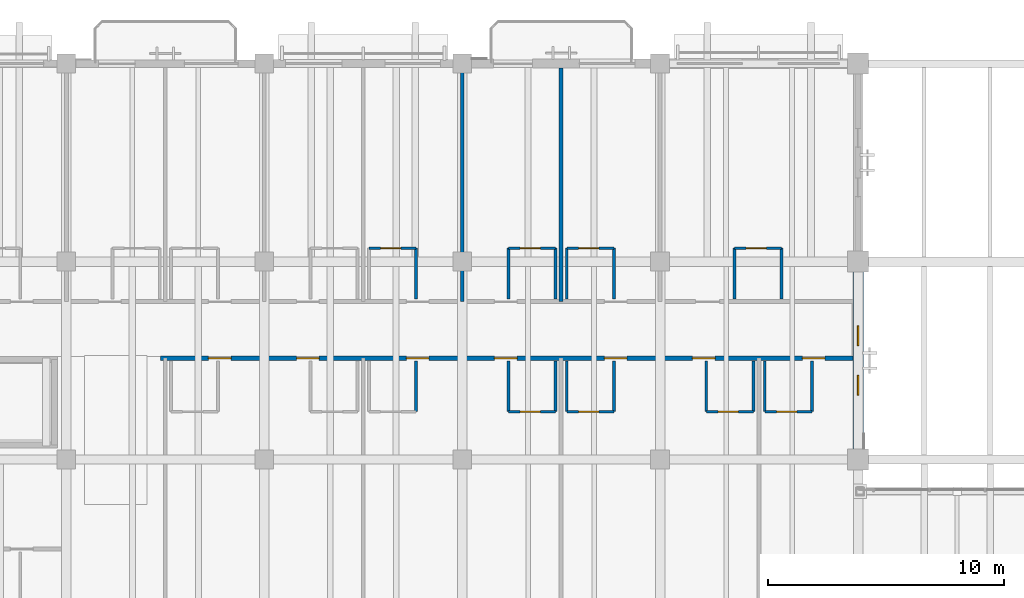
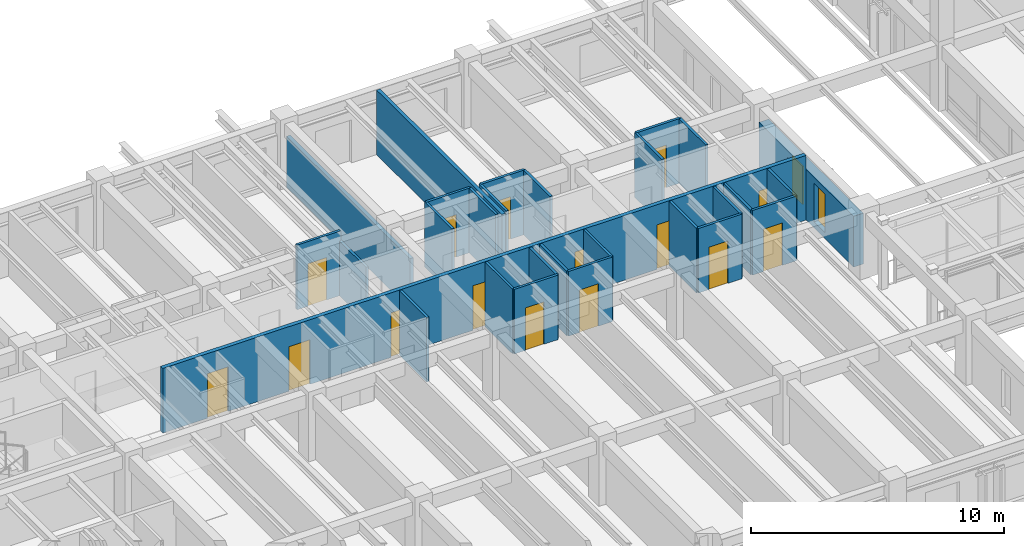
# One storey, part 91 of 123: 28 walls, 15 doors, 2 windows, 17 openings.
"""IFC4 building model written with IfcOpenShell, lengths in metres."""

from ifc_helpers import new_model, si_unit, direction, frame, frame_2d, origin, place, context, subcontext, project, spatial, rectangle, extrude, material, layer, layer_set, type_object, element, fill, save


model = new_model("IFC4")

# Units and contexts
model_context = context("Model", 3, precision=1e-05, world=origin(), true_north=direction((0.0, 1.0)))
body_context = subcontext(model_context, "Body", "Model", "MODEL_VIEW")
ifc_project = project(units=[si_unit("LENGTHUNIT", "METRE"), si_unit("AREAUNIT", "SQUARE_METRE"), si_unit("VOLUMEUNIT", "CUBIC_METRE"), si_unit("PLANEANGLEUNIT", "RADIAN"), si_unit("MASSUNIT", "GRAM", prefix="KILO")], contexts=[model_context])

# Site, building, storey
site_placement = place(None, origin())
site = spatial("IfcSite", under=ifc_project, at=site_placement, CompositionType="ELEMENT")
building_placement = place(site_placement, origin())
building = spatial("IfcBuilding", under=site, at=building_placement, Name="Cumbredor Promenade Congress Hotel", CompositionType="ELEMENT")
storey_placement = place(building_placement, frame((0.0, 0.0, 11.760009765625)))
storey = spatial("IfcBuildingStorey", under=building, at=storey_placement, Name="L03", CompositionType="ELEMENT", Elevation=11.760009765625)

# Wall, opening, door
ifc_material_1 = material(Name="Moisture-resistant gypsum board on steel studs", Category="steel")
ifc_layer_1 = layer(ifc_material_1, 0.114990234375, Name="Moisture-resistant gypsum board on steel studs", Category="steel")
ifc_layer_set_1 = layer_set([ifc_layer_1], Name="Moisture-resistant gypsum board on steel studs")
wall_type_1 = type_object("IfcWallType", Name="WL-BATH-115", PredefinedType="PARTITIONING", material=ifc_layer_set_1)
wall_1_placement = place(storey_placement, frame((63.239990234375, 109.77001953125, 0.0), z_axis=(0.0, 0.0, 1.0), x_axis=(1.0, 0.0, 0.0)))
wall_1 = element("IfcWall", 1, at=wall_1_placement, inside=storey, type_object=wall_type_1, Name="L03 Interior Partition W-L03-BH-0313", PredefinedType="PARTITIONING", context=body_context, shape_type="SweptSolid", body=[
    extrude(rectangle(XDim=2.0, YDim=0.114990234375, at=frame_2d((1.0, 0.0))), origin(), (0.0, 0.0, 1.0), 3.119873046875),
])
opening_1_placement = place(wall_1_placement, frame((0.5, 0.0, 0.0)))
opening_1 = element("IfcOpeningElement", 2, at=opening_1_placement, cuts=wall_1, Name="Opening ID-01", PredefinedType="OPENING", context=body_context, shape_type="SweptSolid", body=[
    extrude(rectangle(XDim=0.860107421875, YDim=2.050048828125, at=frame_2d((0.43017578125, 1.02490234375))), frame((0.0, 0.0673828125, 0.0), z_axis=(0.0, -1.0, 0.0), x_axis=(1.0, 0.0, 0.0)), (0.0, 0.0, 1.0), 0.135009765625),
])
ifc_material_2 = material(Name="Kiln-dried tropical hardwood", Category="wood")
door_type_1 = type_object("IfcDoorType", Name="DR-BATH-860", OperationType="NOTDEFINED", PredefinedType="DOOR", material=ifc_material_2)
door_1_placement = place(opening_1_placement, origin())
door_1 = element("IfcDoor", 3, at=door_1_placement, inside=storey, type_object=door_type_1, Name="L03 Interior Door W-L03-BH-0313-01", OperationType="SINGLE_SWING_LEFT", OverallHeight=2.050048828125, OverallWidth=0.860107421875, PredefinedType="DOOR", context=body_context, shape_type="SweptSolid", body=[
    extrude(rectangle(XDim=0.860107421875, YDim=2.050048828125, at=frame_2d((0.43017578125, 1.02490234375))), frame((0.0, 0.02490234375, 0.0), z_axis=(0.0, -1.0, 0.0), x_axis=(1.0, 0.0, 0.0)), (0.0, 0.0, 1.0), 0.050048828125),
])
fill(opening_1, door_1)

# Wall
wall_2_placement = place(storey_placement, frame((65.239990234375, 107.6201171875, 0.0), z_axis=(0.0, 0.0, 1.0), x_axis=(0.0, 1.0, 0.0)))
element("IfcWall", 4, at=wall_2_placement, inside=storey, type_object=wall_type_1, Name="L03 Interior Partition W-L03-BV2-0313", PredefinedType="PARTITIONING", context=body_context, shape_type="SweptSolid", body=[
    extrude(rectangle(XDim=2.14990234375, YDim=0.114990234375, at=frame_2d((1.074951171875, 0.0))), origin(), (0.0, 0.0, 1.0), 2.64208984375),
])

# Wall, opening, door
wall_3_placement = place(storey_placement, frame((69.159912109375, 109.77001953125, 0.0), z_axis=(0.0, 0.0, 1.0), x_axis=(1.0, 0.0, 0.0)))
wall_3 = element("IfcWall", 5, at=wall_3_placement, inside=storey, type_object=wall_type_1, Name="L03 Interior Partition W-L03-BH-0314", PredefinedType="PARTITIONING", context=body_context, shape_type="SweptSolid", body=[
    extrude(rectangle(XDim=2.0, YDim=0.114990234375, at=frame_2d((1.0, 0.0))), origin(), (0.0, 0.0, 1.0), 3.119873046875),
])
opening_2_placement = place(wall_3_placement, frame((0.5, 0.0, 0.0)))
opening_2 = element("IfcOpeningElement", 6, at=opening_2_placement, cuts=wall_3, Name="Opening ID-01", PredefinedType="OPENING", context=body_context, shape_type="SweptSolid", body=[
    extrude(rectangle(XDim=0.860107421875, YDim=2.050048828125, at=frame_2d((0.43017578125, 1.02490234375))), frame((0.0, 0.0673828125, 0.0), z_axis=(0.0, -1.0, 0.0), x_axis=(1.0, 0.0, 0.0)), (0.0, 0.0, 1.0), 0.135009765625),
])
door_2_placement = place(opening_2_placement, origin())
door_2 = element("IfcDoor", 7, at=door_2_placement, inside=storey, type_object=door_type_1, Name="L03 Interior Door W-L03-BH-0314-01", OperationType="SINGLE_SWING_RIGHT", OverallHeight=2.050048828125, OverallWidth=0.860107421875, PredefinedType="DOOR", context=body_context, shape_type="SweptSolid", body=[
    extrude(rectangle(XDim=0.860107421875, YDim=2.050048828125, at=frame_2d((0.43017578125, 1.02490234375))), frame((0.0, 0.02490234375, 0.0), z_axis=(0.0, -1.0, 0.0), x_axis=(1.0, 0.0, 0.0)), (0.0, 0.0, 1.0), 0.050048828125),
])
fill(opening_2, door_2)

# Walls
for number, where, z_axis, x_axis, name in (
    (8, (69.159912109375, 107.6201171875, 0.0), (0.0, 0.0, 1.0), (0.0, 1.0, 0.0), "L03 Interior Partition W-L03-BV1-0314"),
    (9, (71.159912109375, 107.6201171875, 0.0), (0.0, 0.0, 1.0), (0.0, 1.0, 0.0), "L03 Interior Partition W-L03-BV2-0314"),
):
    element("IfcWall", number, at=place(storey_placement, frame(where, z_axis=z_axis, x_axis=x_axis)), inside=storey, type_object=wall_type_1, Name=name, PredefinedType="PARTITIONING", context=body_context, shape_type="SweptSolid", body=[
        extrude(rectangle(XDim=2.14990234375, YDim=0.114990234375, at=frame_2d((1.074951171875, 0.0))), origin(), (0.0, 0.0, 1.0), 3.119873046875),
    ])

# Wall, opening, door
wall_4_placement = place(storey_placement, frame((71.639892578125, 109.77001953125, 0.0), z_axis=(0.0, 0.0, 1.0), x_axis=(1.0, 0.0, 0.0)))
wall_4 = element("IfcWall", 10, at=wall_4_placement, inside=storey, type_object=wall_type_1, Name="L03 Interior Partition W-L03-BH-0315", PredefinedType="PARTITIONING", context=body_context, shape_type="SweptSolid", body=[
    extrude(rectangle(XDim=2.0, YDim=0.114990234375, at=frame_2d((1.0, 0.0))), origin(), (0.0, 0.0, 1.0), 3.119873046875),
])
opening_3_placement = place(wall_4_placement, frame((0.5, 0.0, 0.0)))
opening_3 = element("IfcOpeningElement", 11, at=opening_3_placement, cuts=wall_4, Name="Opening ID-01", PredefinedType="OPENING", context=body_context, shape_type="SweptSolid", body=[
    extrude(rectangle(XDim=0.860107421875, YDim=2.050048828125, at=frame_2d((0.43017578125, 1.02490234375))), frame((0.0, 0.0673828125, 0.0), z_axis=(0.0, -1.0, 0.0), x_axis=(1.0, 0.0, 0.0)), (0.0, 0.0, 1.0), 0.135009765625),
])
door_3_placement = place(opening_3_placement, origin())
door_3 = element("IfcDoor", 12, at=door_3_placement, inside=storey, type_object=door_type_1, Name="L03 Interior Door W-L03-BH-0315-01", OperationType="SINGLE_SWING_LEFT", OverallHeight=2.050048828125, OverallWidth=0.860107421875, PredefinedType="DOOR", context=body_context, shape_type="SweptSolid", body=[
    extrude(rectangle(XDim=0.860107421875, YDim=2.050048828125, at=frame_2d((0.43017578125, 1.02490234375))), frame((0.0, 0.02490234375, 0.0), z_axis=(0.0, -1.0, 0.0), x_axis=(1.0, 0.0, 0.0)), (0.0, 0.0, 1.0), 0.050048828125),
])
fill(opening_3, door_3)

# Walls
for number, where, z_axis, x_axis, name in (
    (13, (71.639892578125, 107.6201171875, 0.0), (0.0, 0.0, 1.0), (0.0, 1.0, 0.0), "L03 Interior Partition W-L03-BV1-0315"),
    (14, (73.639892578125, 107.6201171875, 0.0), (0.0, 0.0, 1.0), (0.0, 1.0, 0.0), "L03 Interior Partition W-L03-BV2-0315"),
):
    element("IfcWall", number, at=place(storey_placement, frame(where, z_axis=z_axis, x_axis=x_axis)), inside=storey, type_object=wall_type_1, Name=name, PredefinedType="PARTITIONING", context=body_context, shape_type="SweptSolid", body=[
        extrude(rectangle(XDim=2.14990234375, YDim=0.114990234375, at=frame_2d((1.074951171875, 0.0))), origin(), (0.0, 0.0, 1.0), 3.119873046875),
    ])

# Wall, opening, door
wall_5_placement = place(storey_placement, frame((78.75, 109.77001953125, 0.0), z_axis=(0.0, 0.0, 1.0), x_axis=(1.0, 0.0, 0.0)))
wall_5 = element("IfcWall", 15, at=wall_5_placement, inside=storey, type_object=wall_type_1, Name="L03 Interior Partition W-L03-BH-0316", PredefinedType="PARTITIONING", context=body_context, shape_type="SweptSolid", body=[
    extrude(rectangle(XDim=2.0, YDim=0.114990234375, at=frame_2d((1.0, 0.0))), origin(), (0.0, 0.0, 1.0), 3.119873046875),
])
opening_4_placement = place(wall_5_placement, frame((0.5, 0.0, 0.0)))
opening_4 = element("IfcOpeningElement", 16, at=opening_4_placement, cuts=wall_5, Name="Opening ID-01", PredefinedType="OPENING", context=body_context, shape_type="SweptSolid", body=[
    extrude(rectangle(XDim=0.860107421875, YDim=2.050048828125, at=frame_2d((0.43017578125, 1.02490234375))), frame((0.0, 0.0673828125, 0.0), z_axis=(0.0, -1.0, 0.0), x_axis=(1.0, 0.0, 0.0)), (0.0, 0.0, 1.0), 0.135009765625),
])
door_4_placement = place(opening_4_placement, origin())
door_4 = element("IfcDoor", 17, at=door_4_placement, inside=storey, type_object=door_type_1, Name="L03 Interior Door W-L03-BH-0316-01", OperationType="SINGLE_SWING_RIGHT", OverallHeight=2.050048828125, OverallWidth=0.860107421875, PredefinedType="DOOR", context=body_context, shape_type="SweptSolid", body=[
    extrude(rectangle(XDim=0.860107421875, YDim=2.050048828125, at=frame_2d((0.43017578125, 1.02490234375))), frame((0.0, 0.02490234375, 0.0), z_axis=(0.0, -1.0, 0.0), x_axis=(1.0, 0.0, 0.0)), (0.0, 0.0, 1.0), 0.050048828125),
])
fill(opening_4, door_4)

# Walls
for number, where, z_axis, x_axis, name in (
    (18, (78.75, 107.6201171875, 0.0), (0.0, 0.0, 1.0), (0.0, 1.0, 0.0), "L03 Interior Partition W-L03-BV1-0316"),
    (19, (80.75, 107.6201171875, 0.0), (0.0, 0.0, 1.0), (0.0, 1.0, 0.0), "L03 Interior Partition W-L03-BV2-0316"),
    (20, (65.239990234375, 102.830078125, 0.0), (0.0, 0.0, 1.0), (0.0, 1.0, 0.0), "L03 Interior Partition W-L03-BV2-0319"),
):
    element("IfcWall", number, at=place(storey_placement, frame(where, z_axis=z_axis, x_axis=x_axis)), inside=storey, type_object=wall_type_1, Name=name, PredefinedType="PARTITIONING", context=body_context, shape_type="SweptSolid", body=[
        extrude(rectangle(XDim=2.14990234375, YDim=0.114990234375, at=frame_2d((1.074951171875, 0.0))), origin(), (0.0, 0.0, 1.0), 3.119873046875),
    ])

# Wall, opening, door
wall_6_placement = place(storey_placement, frame((69.159912109375, 102.830078125, 0.0), z_axis=(0.0, 0.0, 1.0), x_axis=(1.0, 0.0, 0.0)))
wall_6 = element("IfcWall", 21, at=wall_6_placement, inside=storey, type_object=wall_type_1, Name="L03 Interior Partition W-L03-BH-0320", PredefinedType="PARTITIONING", context=body_context, shape_type="SweptSolid", body=[
    extrude(rectangle(XDim=2.0, YDim=0.114990234375, at=frame_2d((1.0, 0.0))), origin(), (0.0, 0.0, 1.0), 3.119873046875),
])
opening_5_placement = place(wall_6_placement, frame((0.5, 0.0, 0.0)))
opening_5 = element("IfcOpeningElement", 22, at=opening_5_placement, cuts=wall_6, Name="Opening ID-01", PredefinedType="OPENING", context=body_context, shape_type="SweptSolid", body=[
    extrude(rectangle(XDim=0.860107421875, YDim=2.050048828125, at=frame_2d((0.43017578125, 1.02490234375))), frame((0.0, 0.0673828125, 0.0), z_axis=(0.0, -1.0, 0.0), x_axis=(1.0, 0.0, 0.0)), (0.0, 0.0, 1.0), 0.135009765625),
])
door_5_placement = place(opening_5_placement, origin())
door_5 = element("IfcDoor", 23, at=door_5_placement, inside=storey, type_object=door_type_1, Name="L03 Interior Door W-L03-BH-0320-01", OperationType="SINGLE_SWING_RIGHT", OverallHeight=2.050048828125, OverallWidth=0.860107421875, PredefinedType="DOOR", context=body_context, shape_type="SweptSolid", body=[
    extrude(rectangle(XDim=0.860107421875, YDim=2.050048828125, at=frame_2d((0.43017578125, 1.02490234375))), frame((0.0, 0.02490234375, 0.0), z_axis=(0.0, -1.0, 0.0), x_axis=(1.0, 0.0, 0.0)), (0.0, 0.0, 1.0), 0.050048828125),
])
fill(opening_5, door_5)

# Walls
for number, where, z_axis, x_axis, name in (
    (24, (69.159912109375, 102.830078125, 0.0), (0.0, 0.0, 1.0), (0.0, 1.0, 0.0), "L03 Interior Partition W-L03-BV1-0320"),
    (25, (71.159912109375, 102.830078125, 0.0), (0.0, 0.0, 1.0), (0.0, 1.0, 0.0), "L03 Interior Partition W-L03-BV2-0320"),
):
    element("IfcWall", number, at=place(storey_placement, frame(where, z_axis=z_axis, x_axis=x_axis)), inside=storey, type_object=wall_type_1, Name=name, PredefinedType="PARTITIONING", context=body_context, shape_type="SweptSolid", body=[
        extrude(rectangle(XDim=2.14990234375, YDim=0.114990234375, at=frame_2d((1.074951171875, 0.0))), origin(), (0.0, 0.0, 1.0), 3.119873046875),
    ])

# Wall, opening, door
wall_7_placement = place(storey_placement, frame((71.639892578125, 102.830078125, 0.0), z_axis=(0.0, 0.0, 1.0), x_axis=(1.0, 0.0, 0.0)))
wall_7 = element("IfcWall", 26, at=wall_7_placement, inside=storey, type_object=wall_type_1, Name="L03 Interior Partition W-L03-BH-0321", PredefinedType="PARTITIONING", context=body_context, shape_type="SweptSolid", body=[
    extrude(rectangle(XDim=2.0, YDim=0.114990234375, at=frame_2d((1.0, 0.0))), origin(), (0.0, 0.0, 1.0), 3.119873046875),
])
opening_6_placement = place(wall_7_placement, frame((0.5, 0.0, 0.0)))
opening_6 = element("IfcOpeningElement", 27, at=opening_6_placement, cuts=wall_7, Name="Opening ID-01", PredefinedType="OPENING", context=body_context, shape_type="SweptSolid", body=[
    extrude(rectangle(XDim=0.860107421875, YDim=2.050048828125, at=frame_2d((0.43017578125, 1.02490234375))), frame((0.0, 0.0673828125, 0.0), z_axis=(0.0, -1.0, 0.0), x_axis=(1.0, 0.0, 0.0)), (0.0, 0.0, 1.0), 0.135009765625),
])
door_6_placement = place(opening_6_placement, origin())
door_6 = element("IfcDoor", 28, at=door_6_placement, inside=storey, type_object=door_type_1, Name="L03 Interior Door W-L03-BH-0321-01", OperationType="SINGLE_SWING_LEFT", OverallHeight=2.050048828125, OverallWidth=0.860107421875, PredefinedType="DOOR", context=body_context, shape_type="SweptSolid", body=[
    extrude(rectangle(XDim=0.860107421875, YDim=2.050048828125, at=frame_2d((0.43017578125, 1.02490234375))), frame((0.0, 0.02490234375, 0.0), z_axis=(0.0, -1.0, 0.0), x_axis=(1.0, 0.0, 0.0)), (0.0, 0.0, 1.0), 0.050048828125),
])
fill(opening_6, door_6)

# Walls
for number, where, z_axis, x_axis, name in (
    (29, (71.639892578125, 102.830078125, 0.0), (0.0, 0.0, 1.0), (0.0, 1.0, 0.0), "L03 Interior Partition W-L03-BV1-0321"),
    (30, (73.639892578125, 102.830078125, 0.0), (0.0, 0.0, 1.0), (0.0, 1.0, 0.0), "L03 Interior Partition W-L03-BV2-0321"),
):
    element("IfcWall", number, at=place(storey_placement, frame(where, z_axis=z_axis, x_axis=x_axis)), inside=storey, type_object=wall_type_1, Name=name, PredefinedType="PARTITIONING", context=body_context, shape_type="SweptSolid", body=[
        extrude(rectangle(XDim=2.14990234375, YDim=0.114990234375, at=frame_2d((1.074951171875, 0.0))), origin(), (0.0, 0.0, 1.0), 3.119873046875),
    ])

# Wall, opening, door
wall_8_placement = place(storey_placement, frame((77.56005859375, 102.830078125, 0.0), z_axis=(0.0, 0.0, 1.0), x_axis=(1.0, 0.0, 0.0)))
wall_8 = element("IfcWall", 31, at=wall_8_placement, inside=storey, type_object=wall_type_1, Name="L03 Interior Partition W-L03-BH-0322", PredefinedType="PARTITIONING", context=body_context, shape_type="SweptSolid", body=[
    extrude(rectangle(XDim=2.0, YDim=0.114990234375, at=frame_2d((1.0, 0.0))), origin(), (0.0, 0.0, 1.0), 3.119873046875),
])
opening_7_placement = place(wall_8_placement, frame((0.5, 0.0, 0.0)))
opening_7 = element("IfcOpeningElement", 32, at=opening_7_placement, cuts=wall_8, Name="Opening ID-01", PredefinedType="OPENING", context=body_context, shape_type="SweptSolid", body=[
    extrude(rectangle(XDim=0.860107421875, YDim=2.050048828125, at=frame_2d((0.43017578125, 1.02490234375))), frame((0.0, 0.0673828125, 0.0), z_axis=(0.0, -1.0, 0.0), x_axis=(1.0, 0.0, 0.0)), (0.0, 0.0, 1.0), 0.135009765625),
])
door_7_placement = place(opening_7_placement, origin())
door_7 = element("IfcDoor", 33, at=door_7_placement, inside=storey, type_object=door_type_1, Name="L03 Interior Door W-L03-BH-0322-01", OperationType="SINGLE_SWING_RIGHT", OverallHeight=2.050048828125, OverallWidth=0.860107421875, PredefinedType="DOOR", context=body_context, shape_type="SweptSolid", body=[
    extrude(rectangle(XDim=0.860107421875, YDim=2.050048828125, at=frame_2d((0.43017578125, 1.02490234375))), frame((0.0, 0.02490234375, 0.0), z_axis=(0.0, -1.0, 0.0), x_axis=(1.0, 0.0, 0.0)), (0.0, 0.0, 1.0), 0.050048828125),
])
fill(opening_7, door_7)

# Walls
for number, where, z_axis, x_axis, name in (
    (34, (77.56005859375, 102.830078125, 0.0), (0.0, 0.0, 1.0), (0.0, 1.0, 0.0), "L03 Interior Partition W-L03-BV1-0322"),
    (35, (79.56005859375, 102.830078125, 0.0), (0.0, 0.0, 1.0), (0.0, 1.0, 0.0), "L03 Interior Partition W-L03-BV2-0322"),
):
    element("IfcWall", number, at=place(storey_placement, frame(where, z_axis=z_axis, x_axis=x_axis)), inside=storey, type_object=wall_type_1, Name=name, PredefinedType="PARTITIONING", context=body_context, shape_type="SweptSolid", body=[
        extrude(rectangle(XDim=2.14990234375, YDim=0.114990234375, at=frame_2d((1.074951171875, 0.0))), origin(), (0.0, 0.0, 1.0), 3.119873046875),
    ])

# Wall, opening, door
wall_9_placement = place(storey_placement, frame((80.0400390625, 102.830078125, 0.0), z_axis=(0.0, 0.0, 1.0), x_axis=(1.0, 0.0, 0.0)))
wall_9 = element("IfcWall", 36, at=wall_9_placement, inside=storey, type_object=wall_type_1, Name="L03 Interior Partition W-L03-BH-0323", PredefinedType="PARTITIONING", context=body_context, shape_type="SweptSolid", body=[
    extrude(rectangle(XDim=2.0, YDim=0.114990234375, at=frame_2d((1.0, 0.0))), origin(), (0.0, 0.0, 1.0), 3.119873046875),
])
opening_8_placement = place(wall_9_placement, frame((0.5, 0.0, 0.0)))
opening_8 = element("IfcOpeningElement", 37, at=opening_8_placement, cuts=wall_9, Name="Opening ID-01", PredefinedType="OPENING", context=body_context, shape_type="SweptSolid", body=[
    extrude(rectangle(XDim=0.860107421875, YDim=2.050048828125, at=frame_2d((0.43017578125, 1.02490234375))), frame((0.0, 0.0673828125, 0.0), z_axis=(0.0, -1.0, 0.0), x_axis=(1.0, 0.0, 0.0)), (0.0, 0.0, 1.0), 0.135009765625),
])
door_8_placement = place(opening_8_placement, origin())
door_8 = element("IfcDoor", 38, at=door_8_placement, inside=storey, type_object=door_type_1, Name="L03 Interior Door W-L03-BH-0323-01", OperationType="SINGLE_SWING_LEFT", OverallHeight=2.050048828125, OverallWidth=0.860107421875, PredefinedType="DOOR", context=body_context, shape_type="SweptSolid", body=[
    extrude(rectangle(XDim=0.860107421875, YDim=2.050048828125, at=frame_2d((0.43017578125, 1.02490234375))), frame((0.0, 0.02490234375, 0.0), z_axis=(0.0, -1.0, 0.0), x_axis=(1.0, 0.0, 0.0)), (0.0, 0.0, 1.0), 0.050048828125),
])
fill(opening_8, door_8)

# Walls
for number, where, z_axis, x_axis, name in (
    (39, (80.0400390625, 102.830078125, 0.0), (0.0, 0.0, 1.0), (0.0, 1.0, 0.0), "L03 Interior Partition W-L03-BV1-0323"),
    (40, (82.0400390625, 102.830078125, 0.0), (0.0, 0.0, 1.0), (0.0, 1.0, 0.0), "L03 Interior Partition W-L03-BV2-0323"),
):
    element("IfcWall", number, at=place(storey_placement, frame(where, z_axis=z_axis, x_axis=x_axis)), inside=storey, type_object=wall_type_1, Name=name, PredefinedType="PARTITIONING", context=body_context, shape_type="SweptSolid", body=[
        extrude(rectangle(XDim=2.14990234375, YDim=0.114990234375, at=frame_2d((1.074951171875, 0.0))), origin(), (0.0, 0.0, 1.0), 3.119873046875),
    ])

# Wall, openings, doors
ifc_material_3 = material(Name="Fire-rated hotel corridor wall")
ifc_layer_2 = layer(ifc_material_3, 0.179931640625, Name="Fire-rated hotel corridor wall")
ifc_layer_set_2 = layer_set([ifc_layer_2], Name="Fire-rated hotel corridor wall")
wall_type_2 = type_object("IfcWallType", Name="WL-CORR-180", PredefinedType="PARTITIONING", material=ifc_layer_set_2)
wall_10_placement = place(storey_placement, frame((54.39990234375, 105.10009765625, 0.0), z_axis=(0.0, 0.0, 1.0), x_axis=(1.0, 0.0, 0.0)))
wall_10 = element("IfcWall", 41, at=wall_10_placement, inside=storey, type_object=wall_type_2, Name="L03 Interior Partition W-L03-CORR-SE", PredefinedType="PARTITIONING", context=body_context, shape_type="SweptSolid", body=[
    extrude(rectangle(XDim=29.375, YDim=0.179931640625, at=frame_2d((14.6875, 0.0))), origin(), (0.0, 0.0, 1.0), 3.119873046875),
])
opening_9_placement = place(wall_10_placement, frame((2.030029296875, 0.0, 0.0)))
opening_9 = element("IfcOpeningElement", 42, at=opening_9_placement, cuts=wall_10, Name="Opening FD-01", PredefinedType="OPENING", context=body_context, shape_type="SweptSolid", body=[
    extrude(rectangle(XDim=0.9599609375, YDim=2.14990234375, at=frame_2d((0.47998046875, 1.074951171875))), frame((0.0, 0.10009765625, 0.0), z_axis=(0.0, -1.0, 0.0), x_axis=(1.0, 0.0, 0.0)), (0.0, 0.0, 1.0), 0.199951171875),
])
opening_10_placement = place(wall_10_placement, frame((5.77001953125, 0.0, 0.0)))
opening_10 = element("IfcOpeningElement", 43, at=opening_10_placement, cuts=wall_10, Name="Opening FD-01", PredefinedType="OPENING", context=body_context, shape_type="SweptSolid", body=[
    extrude(rectangle(XDim=0.9599609375, YDim=2.14990234375, at=frame_2d((0.47998046875, 1.074951171875))), frame((0.0, 0.10009765625, 0.0), z_axis=(0.0, -1.0, 0.0), x_axis=(1.0, 0.0, 0.0)), (0.0, 0.0, 1.0), 0.199951171875),
])
opening_11_placement = place(wall_10_placement, frame((10.429931640625, 0.0, 0.0)))
opening_11 = element("IfcOpeningElement", 44, at=opening_11_placement, cuts=wall_10, Name="Opening FD-01", PredefinedType="OPENING", context=body_context, shape_type="SweptSolid", body=[
    extrude(rectangle(XDim=0.9599609375, YDim=2.14990234375, at=frame_2d((0.47998046875, 1.074951171875))), frame((0.0, 0.10009765625, 0.0), z_axis=(0.0, -1.0, 0.0), x_axis=(1.0, 0.0, 0.0)), (0.0, 0.0, 1.0), 0.199951171875),
])
opening_12_placement = place(wall_10_placement, frame((14.169921875, 0.0, 0.0)))
opening_12 = element("IfcOpeningElement", 45, at=opening_12_placement, cuts=wall_10, Name="Opening FD-01", PredefinedType="OPENING", context=body_context, shape_type="SweptSolid", body=[
    extrude(rectangle(XDim=0.9599609375, YDim=2.14990234375, at=frame_2d((0.47998046875, 1.074951171875))), frame((0.0, 0.10009765625, 0.0), z_axis=(0.0, -1.0, 0.0), x_axis=(1.0, 0.0, 0.0)), (0.0, 0.0, 1.0), 0.199951171875),
])
opening_13_placement = place(wall_10_placement, frame((18.830078125, 0.0, 0.0)))
opening_13 = element("IfcOpeningElement", 46, at=opening_13_placement, cuts=wall_10, Name="Opening FD-01", PredefinedType="OPENING", context=body_context, shape_type="SweptSolid", body=[
    extrude(rectangle(XDim=0.9599609375, YDim=2.14990234375, at=frame_2d((0.47998046875, 1.074951171875))), frame((0.0, 0.10009765625, 0.0), z_axis=(0.0, -1.0, 0.0), x_axis=(1.0, 0.0, 0.0)), (0.0, 0.0, 1.0), 0.199951171875),
])
opening_14_placement = place(wall_10_placement, frame((22.570068359375, 0.0, 0.0)))
opening_14 = element("IfcOpeningElement", 47, at=opening_14_placement, cuts=wall_10, Name="Opening FD-01", PredefinedType="OPENING", context=body_context, shape_type="SweptSolid", body=[
    extrude(rectangle(XDim=0.9599609375, YDim=2.14990234375, at=frame_2d((0.47998046875, 1.074951171875))), frame((0.0, 0.10009765625, 0.0), z_axis=(0.0, -1.0, 0.0), x_axis=(1.0, 0.0, 0.0)), (0.0, 0.0, 1.0), 0.199951171875),
])
opening_15_placement = place(wall_10_placement, frame((27.22998046875, 0.0, 0.0)))
opening_15 = element("IfcOpeningElement", 48, at=opening_15_placement, cuts=wall_10, Name="Opening FD-01", PredefinedType="OPENING", context=body_context, shape_type="SweptSolid", body=[
    extrude(rectangle(XDim=0.9599609375, YDim=2.14990234375, at=frame_2d((0.47998046875, 1.074951171875))), frame((0.0, 0.10009765625, 0.0), z_axis=(0.0, -1.0, 0.0), x_axis=(1.0, 0.0, 0.0)), (0.0, 0.0, 1.0), 0.199951171875),
])
ifc_material_4 = material(Name="Solid-core fire-rated tropical hardwood", Category="wood")
door_type_2 = type_object("IfcDoorType", Name="DR-GUEST-FD30-950", OperationType="NOTDEFINED", PredefinedType="DOOR", material=ifc_material_4)
door_9_placement = place(opening_9_placement, origin())
door_9 = element("IfcDoor", 49, at=door_9_placement, inside=storey, type_object=door_type_2, Name="L03 Interior Door W-L03-CORR-SE-01", OperationType="SINGLE_SWING_RIGHT", OverallHeight=2.14990234375, OverallWidth=0.9599609375, PredefinedType="DOOR", context=body_context, shape_type="SweptSolid", body=[
    extrude(rectangle(XDim=0.9599609375, YDim=2.14990234375, at=frame_2d((0.47998046875, 1.074951171875))), frame((0.0, 0.02490234375, 0.0), z_axis=(0.0, -1.0, 0.0), x_axis=(1.0, 0.0, 0.0)), (0.0, 0.0, 1.0), 0.050048828125),
])
fill(opening_9, door_9)
door_10_placement = place(opening_10_placement, origin())
door_10 = element("IfcDoor", 50, at=door_10_placement, inside=storey, type_object=door_type_2, Name="L03 Interior Door W-L03-CORR-SE-02", OperationType="SINGLE_SWING_LEFT", OverallHeight=2.14990234375, OverallWidth=0.9599609375, PredefinedType="DOOR", context=body_context, shape_type="SweptSolid", body=[
    extrude(rectangle(XDim=0.9599609375, YDim=2.14990234375, at=frame_2d((0.47998046875, 1.074951171875))), frame((0.0, 0.02490234375, 0.0), z_axis=(0.0, -1.0, 0.0), x_axis=(1.0, 0.0, 0.0)), (0.0, 0.0, 1.0), 0.050048828125),
])
fill(opening_10, door_10)
door_11_placement = place(opening_11_placement, origin())
door_11 = element("IfcDoor", 51, at=door_11_placement, inside=storey, type_object=door_type_2, Name="L03 Interior Door W-L03-CORR-SE-03", OperationType="SINGLE_SWING_RIGHT", OverallHeight=2.14990234375, OverallWidth=0.9599609375, PredefinedType="DOOR", context=body_context, shape_type="SweptSolid", body=[
    extrude(rectangle(XDim=0.9599609375, YDim=2.14990234375, at=frame_2d((0.47998046875, 1.074951171875))), frame((0.0, 0.02490234375, 0.0), z_axis=(0.0, -1.0, 0.0), x_axis=(1.0, 0.0, 0.0)), (0.0, 0.0, 1.0), 0.050048828125),
])
fill(opening_11, door_11)
door_12_placement = place(opening_12_placement, origin())
door_12 = element("IfcDoor", 52, at=door_12_placement, inside=storey, type_object=door_type_2, Name="L03 Interior Door W-L03-CORR-SE-04", OperationType="SINGLE_SWING_LEFT", OverallHeight=2.14990234375, OverallWidth=0.9599609375, PredefinedType="DOOR", context=body_context, shape_type="SweptSolid", body=[
    extrude(rectangle(XDim=0.9599609375, YDim=2.14990234375, at=frame_2d((0.47998046875, 1.074951171875))), frame((0.0, 0.02490234375, 0.0), z_axis=(0.0, -1.0, 0.0), x_axis=(1.0, 0.0, 0.0)), (0.0, 0.0, 1.0), 0.050048828125),
])
fill(opening_12, door_12)
door_13_placement = place(opening_13_placement, origin())
door_13 = element("IfcDoor", 53, at=door_13_placement, inside=storey, type_object=door_type_2, Name="L03 Interior Door W-L03-CORR-SE-05", OperationType="SINGLE_SWING_RIGHT", OverallHeight=2.14990234375, OverallWidth=0.9599609375, PredefinedType="DOOR", context=body_context, shape_type="SweptSolid", body=[
    extrude(rectangle(XDim=0.9599609375, YDim=2.14990234375, at=frame_2d((0.47998046875, 1.074951171875))), frame((0.0, 0.02490234375, 0.0), z_axis=(0.0, -1.0, 0.0), x_axis=(1.0, 0.0, 0.0)), (0.0, 0.0, 1.0), 0.050048828125),
])
fill(opening_13, door_13)
door_14_placement = place(opening_14_placement, origin())
door_14 = element("IfcDoor", 54, at=door_14_placement, inside=storey, type_object=door_type_2, Name="L03 Interior Door W-L03-CORR-SE-06", OperationType="SINGLE_SWING_LEFT", OverallHeight=2.14990234375, OverallWidth=0.9599609375, PredefinedType="DOOR", context=body_context, shape_type="SweptSolid", body=[
    extrude(rectangle(XDim=0.9599609375, YDim=2.14990234375, at=frame_2d((0.47998046875, 1.074951171875))), frame((0.0, 0.02490234375, 0.0), z_axis=(0.0, -1.0, 0.0), x_axis=(1.0, 0.0, 0.0)), (0.0, 0.0, 1.0), 0.050048828125),
])
fill(opening_14, door_14)
door_15_placement = place(opening_15_placement, origin())
door_15 = element("IfcDoor", 55, at=door_15_placement, inside=storey, type_object=door_type_2, Name="L03 Interior Door W-L03-CORR-SE-07", OperationType="SINGLE_SWING_RIGHT", OverallHeight=2.14990234375, OverallWidth=0.9599609375, PredefinedType="DOOR", context=body_context, shape_type="SweptSolid", body=[
    extrude(rectangle(XDim=0.9599609375, YDim=2.14990234375, at=frame_2d((0.47998046875, 1.074951171875))), frame((0.0, 0.02490234375, 0.0), z_axis=(0.0, -1.0, 0.0), x_axis=(1.0, 0.0, 0.0)), (0.0, 0.0, 1.0), 0.050048828125),
])
fill(opening_15, door_15)

# Wall, openings, windows
ifc_material_5 = material(Name="Concrete C40/50", Category="concrete")
ifc_layer_3 = layer(ifc_material_5, 0.449951171875, Name="Concrete C40/50", Category="concrete")
ifc_layer_set_3 = layer_set([ifc_layer_3], Name="Concrete C40/50")
wall_type_3 = type_object("IfcWallType", Name="WL-EXT-450", PredefinedType="SOLIDWALL", material=ifc_layer_set_3)
wall_11_placement = place(storey_placement, frame((84.0, 101.2509765625, 0.0), z_axis=(0.0, 0.0, 1.0), x_axis=(0.0, 1.0, 0.0)))
wall_11 = element("IfcWall", 56, at=wall_11_placement, inside=storey, type_object=wall_type_3, Name="L03 Stepped Congress Hotel Wing East Envelope Wall 3", PredefinedType="SOLIDWALL", context=body_context, shape_type="SweptSolid", body=[
    extrude(rectangle(XDim=7.498046875, YDim=0.449951171875, at=frame_2d((3.7490234375, 0.0))), origin(), (0.0, 0.0, 1.0), 2.455078125),
])
opening_16_placement = place(wall_11_placement, frame((2.279052734375, 0.0, 0.300048828125)))
opening_16 = element("IfcOpeningElement", 57, at=opening_16_placement, cuts=wall_11, Name="Opening WN-47", PredefinedType="OPENING", context=body_context, shape_type="SweptSolid", body=[
    extrude(rectangle(XDim=0.840087890625, YDim=1.85009765625, at=frame_2d((0.419921875, 0.925048828125))), frame((0.0, 0.23486328125, 0.0), z_axis=(0.0, -1.0, 0.0), x_axis=(1.0, 0.0, 0.0)), (0.0, 0.0, 1.0), 0.469970703125),
])
opening_17_placement = place(wall_11_placement, frame((4.37890625, 0.0, 0.300048828125)))
opening_17 = element("IfcOpeningElement", 58, at=opening_17_placement, cuts=wall_11, Name="Opening WN-47", PredefinedType="OPENING", context=body_context, shape_type="SweptSolid", body=[
    extrude(rectangle(XDim=0.840087890625, YDim=1.85009765625, at=frame_2d((0.419921875, 0.925048828125))), frame((0.0, 0.23486328125, 0.0), z_axis=(0.0, -1.0, 0.0), x_axis=(1.0, 0.0, 0.0)), (0.0, 0.0, 1.0), 0.469970703125),
])
ifc_material_6 = material(Name="Thermally broken anodized aluminium and low-E glass", Category="aluminium")
window_type = type_object("IfcWindowType", Name="Vertical Slot Window WN-47 840x1850", PartitioningType="SINGLE_PANEL", PredefinedType="WINDOW", material=ifc_material_6)
window_1_placement = place(opening_16_placement, origin())
window_1 = element("IfcWindow", 59, at=window_1_placement, inside=storey, type_object=window_type, Name="L03 Vertical Slot Window 0440", OverallHeight=1.85009765625, OverallWidth=0.840087890625, PartitioningType="SINGLE_PANEL", PredefinedType="WINDOW", context=body_context, shape_type="SweptSolid", body=[
    extrude(rectangle(XDim=0.840087890625, YDim=1.85009765625, at=frame_2d((0.419921875, 0.925048828125))), frame((0.0, 0.030029296875, 0.0), z_axis=(0.0, -1.0, 0.0), x_axis=(1.0, 0.0, 0.0)), (0.0, 0.0, 1.0), 0.06005859375),
])
fill(opening_16, window_1)
window_2_placement = place(opening_17_placement, origin())
window_2 = element("IfcWindow", 60, at=window_2_placement, inside=storey, type_object=window_type, Name="L03 Vertical Slot Window 0441", OverallHeight=1.85009765625, OverallWidth=0.840087890625, PartitioningType="SINGLE_PANEL", PredefinedType="WINDOW", context=body_context, shape_type="SweptSolid", body=[
    extrude(rectangle(XDim=0.840087890625, YDim=1.85009765625, at=frame_2d((0.419921875, 0.925048828125))), frame((0.0, 0.030029296875, 0.0), z_axis=(0.0, -1.0, 0.0), x_axis=(1.0, 0.0, 0.0)), (0.0, 0.0, 1.0), 0.06005859375),
])
fill(opening_17, window_2)

# Walls
ifc_material_7 = material(Name="Fire-rated acoustic double-stud partition")
ifc_layer_4 = layer(ifc_material_7, 0.1650390625, Name="Fire-rated acoustic double-stud partition")
ifc_layer_set_4 = layer_set([ifc_layer_4], Name="Fire-rated acoustic double-stud partition")
wall_type_4 = type_object("IfcWallType", Name="WL-UNIT-165", PredefinedType="PARTITIONING", material=ifc_layer_set_4)
wall_12_placement = place(storey_placement, frame((71.39990234375, 107.5, 0.0), z_axis=(0.0, 0.0, 1.0), x_axis=(0.0, 1.0, 0.0)))
element("IfcWall", 61, at=wall_12_placement, inside=storey, type_object=wall_type_4, Name="L03 Interior Partition W-L03-N-DIV-8-M", PredefinedType="PARTITIONING", context=body_context, shape_type="SweptSolid", body=[
    extrude(rectangle(XDim=9.909912109375, YDim=0.1650390625, at=frame_2d((4.955078125, 0.0))), origin(), (0.0, 0.0, 1.0), 3.119873046875),
])
wall_13_placement = place(storey_placement, frame((67.199951171875, 107.5, 0.0), z_axis=(0.0, 0.0, 1.0), x_axis=(0.0, 1.0, 0.0)))
element("IfcWall", 62, at=wall_13_placement, inside=storey, type_object=wall_type_4, Name="L03 Interior Partition W-L03-N-DIV-8-G", PredefinedType="PARTITIONING", context=body_context, shape_type="SweptSolid", body=[
    extrude(rectangle(XDim=9.75, YDim=0.1650390625, at=frame_2d((4.875, 0.0))), origin(), (0.0, 0.0, 1.0), 2.455078125),
])

save(model, "model.ifc")
